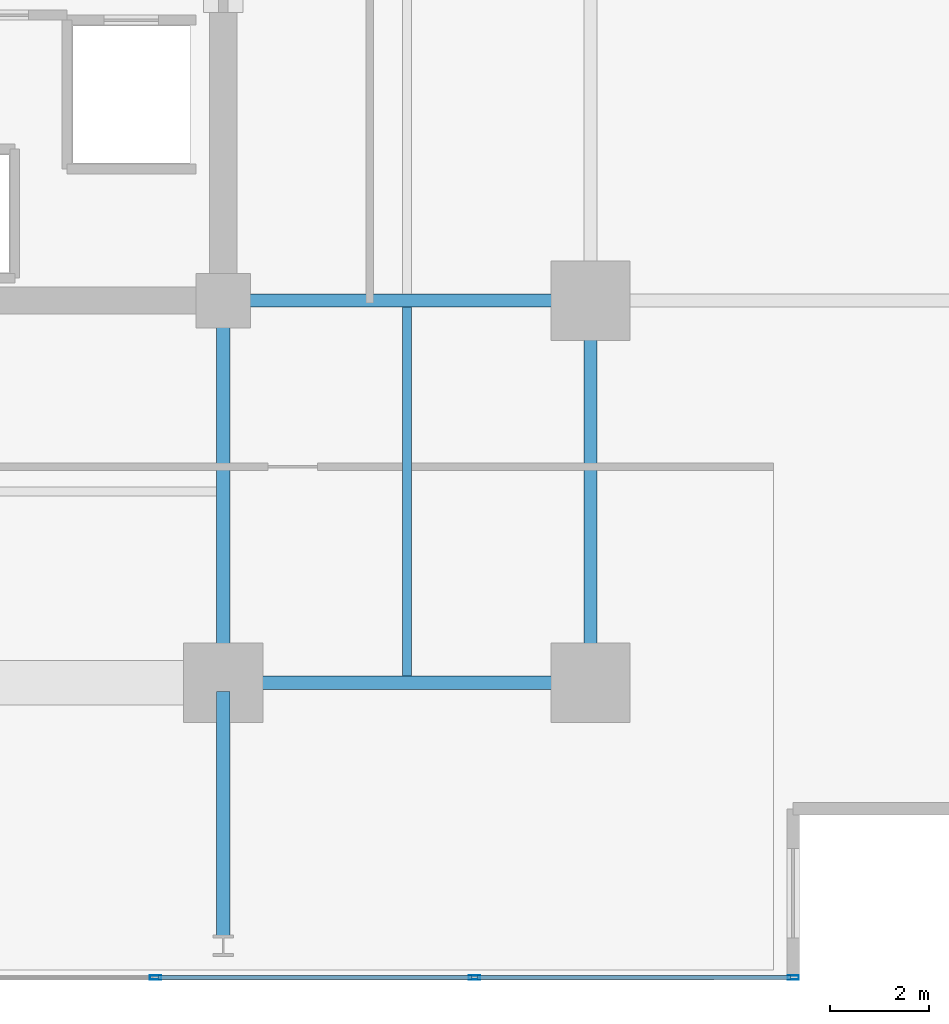
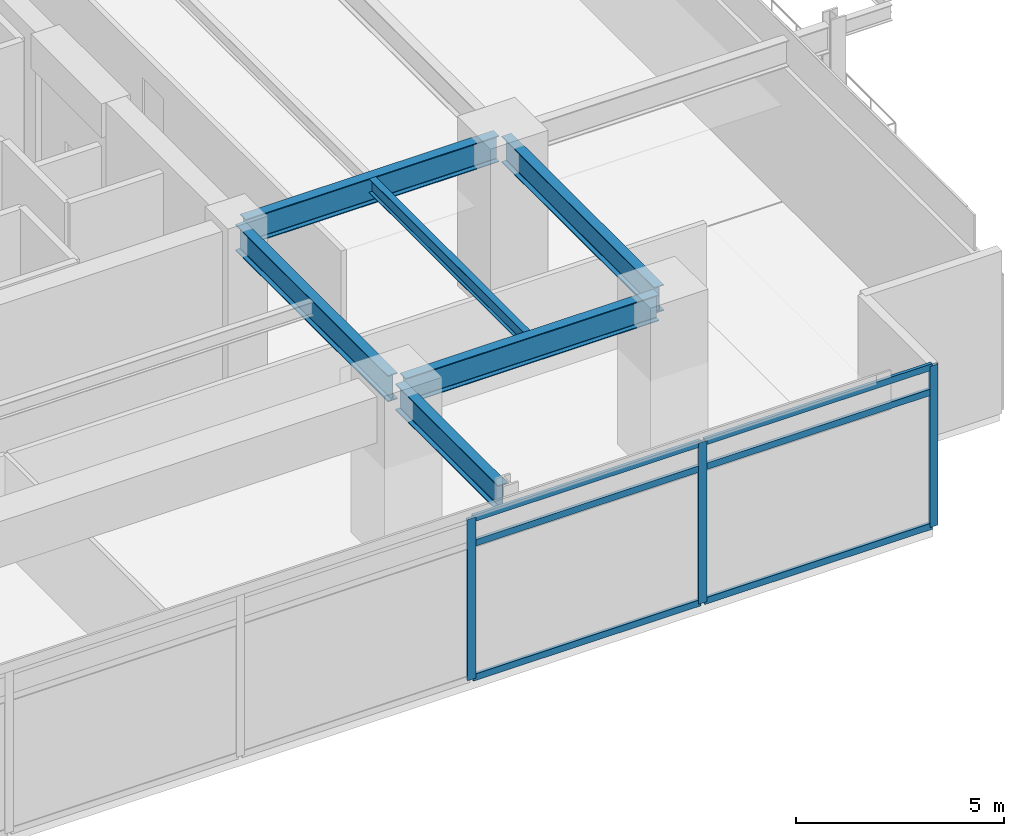
# One storey, part 8 of 20: 9 members, 6 beams, 1 element without a shape of its own.
"""IFC4 building model written with IfcOpenShell, lengths in metres."""

from ifc_helpers import new_model, si_unit, direction, frame, origin, origin_2d, place, context, subcontext, project, spatial, hollow_rectangle, i_section, extrude, material, material_profile, profile_set, type_object, element, aggregate, save


model = new_model("IFC4")

# Units and contexts
model_context = context("Model", 3, precision=1e-05, world=origin(), true_north=direction((0.0, 1.0)))
body_context = subcontext(model_context, "Body", "Model", "MODEL_VIEW")
ifc_project = project(units=[si_unit("LENGTHUNIT", "METRE"), si_unit("AREAUNIT", "SQUARE_METRE"), si_unit("VOLUMEUNIT", "CUBIC_METRE"), si_unit("PLANEANGLEUNIT", "RADIAN"), si_unit("MASSUNIT", "GRAM", prefix="KILO")], contexts=[model_context])

# Site, building, storey
site_placement = place(None, origin())
site = spatial("IfcSite", under=ifc_project, at=site_placement, CompositionType="ELEMENT")
building_placement = place(site_placement, origin())
building = spatial("IfcBuilding", under=site, at=building_placement, Name="Kovane Verandah Tower", CompositionType="ELEMENT")
storey_placement = place(building_placement, frame((0.0, 0.0, 123.39990234375)))
storey = spatial("IfcBuildingStorey", under=building, at=storey_placement, Name="L28", CompositionType="ELEMENT", Elevation=123.39990234375)

# Beams
ifc_material_1 = material(Name="Steel S355", Category="steel")
ifc_material_profile_1 = material_profile(ifc_material_1, i_section(OverallWidth=0.26806640625, OverallDepth=0.769775390625, WebThickness=0.015625, FlangeThickness=0.025390625, FilletRadius=0.0166015625, at=origin_2d()), Name="UB762x267x197")
ifc_profile_set_1 = profile_set([ifc_material_profile_1], Name="Steel S355")
beam_type_1 = type_object("IfcBeamType", Name="BM-UB762x197", PredefinedType="BEAM", material=ifc_profile_set_1)
beam_1_placement = place(storey_placement, frame((51.179931640625, 10.800048828125, 4.39013671875), z_axis=(1.0, 0.0, 0.0), x_axis=(0.0, 1.0, 0.0)))
element("IfcBeam", 1, at=beam_1_placement, inside=storey, type_object=beam_type_1, Name="L28 Primary Tower Girder G-RS3", PredefinedType="BEAM", context=body_context, shape_type="SweptSolid", body=[
    extrude(i_section(OverallWidth=0.26806640625, OverallDepth=0.769775390625, WebThickness=0.015625, FlangeThickness=0.025390625, FilletRadius=0.0166015625, at=origin_2d()), origin(), (0.0, 0.0, 1.0), 7.0400390625),
])
beam_2_placement = place(storey_placement, frame((58.39990234375, 10.97998046875, 4.39013671875), z_axis=(0.0, 1.0, 0.0), x_axis=(-1.0, 0.0, 0.0)))
element("IfcBeam", 2, at=beam_2_placement, inside=storey, type_object=beam_type_1, Name="L28 Primary Tower Girder G-RE1", PredefinedType="BEAM", context=body_context, shape_type="SweptSolid", body=[
    extrude(i_section(OverallWidth=0.26806640625, OverallDepth=0.769775390625, WebThickness=0.015625, FlangeThickness=0.025390625, FilletRadius=0.0166015625, at=origin_2d()), origin(), (0.0, 0.0, 1.0), 7.340087890625),
])
beam_3_placement = place(storey_placement, frame((51.179931640625, 18.5, 4.39013671875), z_axis=(1.0, 0.0, 0.0), x_axis=(0.0, 1.0, 0.0)))
element("IfcBeam", 3, at=beam_3_placement, inside=storey, type_object=beam_type_1, Name="L28 Primary Tower Girder G-E1", PredefinedType="BEAM", context=body_context, shape_type="SweptSolid", body=[
    extrude(i_section(OverallWidth=0.26806640625, OverallDepth=0.769775390625, WebThickness=0.015625, FlangeThickness=0.025390625, FilletRadius=0.0166015625, at=origin_2d()), origin(), (0.0, 0.0, 1.0), 7.0400390625),
])
beam_4_placement = place(storey_placement, frame((51.0, 18.320068359375, 4.39013671875), z_axis=(0.0, -1.0, 0.0), x_axis=(1.0, 0.0, 0.0)))
element("IfcBeam", 4, at=beam_4_placement, inside=storey, type_object=beam_type_1, Name="L28 Primary Tower Girder G-S2", PredefinedType="BEAM", context=body_context, shape_type="SweptSolid", body=[
    extrude(i_section(OverallWidth=0.26806640625, OverallDepth=0.769775390625, WebThickness=0.015625, FlangeThickness=0.025390625, FilletRadius=0.0166015625, at=origin_2d()), origin(), (0.0, 0.0, 1.0), 7.340087890625),
])
beam_5_placement = place(storey_placement, frame((51.0, 10.6201171875, 4.375244140625), z_axis=(0.0, -1.0, 0.0), x_axis=(1.0, 0.0, 0.0)))
element("IfcBeam", 5, at=beam_5_placement, inside=storey, type_object=beam_type_1, Name="L28 Primary Tower Girder G-VS2", PredefinedType="BEAM", context=body_context, shape_type="SweptSolid", body=[
    extrude(i_section(OverallWidth=0.26806640625, OverallDepth=0.769775390625, WebThickness=0.015625, FlangeThickness=0.025390625, FilletRadius=0.0166015625, at=origin_2d()), origin(), (0.0, 0.0, 1.0), 4.940185546875),
])

# Curtain wall, members
ifc_material_2 = material(Name="Champagne Anodised Aluminium Frame with Low-E Clear Laminated Glass", Category="aluminium")
curtain_wall_type = type_object("IfcCurtainWallType", Name="CW-SYS-03-MID", PredefinedType="NOTDEFINED", material=ifc_material_2)
curtain_wall_placement = place(storey_placement, origin())
curtain_wall = element("IfcCurtainWall", 6, at=curtain_wall_placement, inside=storey, type_object=curtain_wall_type, Name="L28 S Unitised Curtain Wall", PredefinedType="NOTDEFINED")
ifc_material_3 = material(Name="Champagne Anodised Aluminium 6063-T6", Category="aluminium")
ifc_material_profile_2 = material_profile(ifc_material_3, hollow_rectangle(XDim=0.0849609375, YDim=0.22998046875, WallThickness=0.00390625, at=origin_2d()), Name="AL85x230x4")
ifc_profile_set_2 = profile_set([ifc_material_profile_2], Name="Champagne Anodised Aluminium 6063-T6")
member_type_1 = type_object("IfcMemberType", Name="CW-MUL-85x230", PredefinedType="MULLION", material=ifc_profile_set_2)
member_1_placement = place(storey_placement, frame((49.63623046875, 4.86083984375, 0.02001953125), z_axis=(0.0, 0.0, 1.0), x_axis=(0.0, -1.0, 0.0)))
member_1 = element("IfcMember", 7, at=member_1_placement, type_object=member_type_1, Name="L28 S Unitised Curtain Wall Mullion 6", PredefinedType="MULLION", context=body_context, shape_type="SweptSolid", body=[
    extrude(hollow_rectangle(XDim=0.0849609375, YDim=0.22998046875, WallThickness=0.00390625, at=origin_2d()), origin(), (0.0, 0.0, 1.0), 4.735107421875),
])
member_2_placement = place(storey_placement, frame((56.060302734375, 4.86083984375, 0.02001953125), z_axis=(0.0, 0.0, 1.0), x_axis=(0.0, -1.0, 0.0)))
member_2 = element("IfcMember", 8, at=member_2_placement, type_object=member_type_1, Name="L28 S Unitised Curtain Wall Mullion 7", PredefinedType="MULLION", context=body_context, shape_type="SweptSolid", body=[
    extrude(hollow_rectangle(XDim=0.0849609375, YDim=0.22998046875, WallThickness=0.00390625, at=origin_2d()), origin(), (0.0, 0.0, 1.0), 4.735107421875),
])
member_3_placement = place(storey_placement, frame((62.484619140625, 4.86083984375, 0.02001953125), z_axis=(0.0, 0.0, 1.0), x_axis=(0.0, -1.0, 0.0)))
member_3 = element("IfcMember", 9, at=member_3_placement, type_object=member_type_1, Name="L28 S Unitised Curtain Wall Mullion 8", PredefinedType="MULLION", context=body_context, shape_type="SweptSolid", body=[
    extrude(hollow_rectangle(XDim=0.0849609375, YDim=0.22998046875, WallThickness=0.00390625, at=origin_2d()), origin(), (0.0, 0.0, 1.0), 4.735107421875),
])
ifc_material_profile_3 = material_profile(ifc_material_3, hollow_rectangle(XDim=0.0849609375, YDim=0.18994140625, WallThickness=0.00390625, at=origin_2d()), Name="AL85x190x4")
ifc_profile_set_3 = profile_set([ifc_material_profile_3], Name="Champagne Anodised Aluminium 6063-T6")
member_type_2 = type_object("IfcMemberType", Name="CW-TRN-85x190", PredefinedType="USERDEFINED", material=ifc_profile_set_3)
member_4_placement = place(storey_placement, frame((49.686279296875, 4.86083984375, 0.050048828125), z_axis=(1.0, 0.0, 0.0), x_axis=(0.0, 1.0, 0.0)))
member_4 = element("IfcMember", 10, at=member_4_placement, type_object=member_type_2, Name="L28 S Unitised Curtain Wall Transom TB Bay 6", ObjectType="TRANSOM", PredefinedType="USERDEFINED", context=body_context, shape_type="SweptSolid", body=[
    extrude(hollow_rectangle(XDim=0.0849609375, YDim=0.18994140625, WallThickness=0.00390625, at=origin_2d()), origin(), (0.0, 0.0, 1.0), 6.32421875),
])
member_5_placement = place(storey_placement, frame((49.686279296875, 4.86083984375, 3.9951171875), z_axis=(1.0, 0.0, 0.0), x_axis=(0.0, 1.0, 0.0)))
member_5 = element("IfcMember", 11, at=member_5_placement, type_object=member_type_2, Name="L28 S Unitised Curtain Wall Transom TM Bay 6", ObjectType="TRANSOM", PredefinedType="USERDEFINED", context=body_context, shape_type="SweptSolid", body=[
    extrude(hollow_rectangle(XDim=0.0849609375, YDim=0.18994140625, WallThickness=0.00390625, at=origin_2d()), origin(), (0.0, 0.0, 1.0), 6.32421875),
])
member_6_placement = place(storey_placement, frame((49.686279296875, 4.86083984375, 4.72509765625), z_axis=(1.0, 0.0, 0.0), x_axis=(0.0, 1.0, 0.0)))
member_6 = element("IfcMember", 12, at=member_6_placement, type_object=member_type_2, Name="L28 S Unitised Curtain Wall Transom TT Bay 6", ObjectType="TRANSOM", PredefinedType="USERDEFINED", context=body_context, shape_type="SweptSolid", body=[
    extrude(hollow_rectangle(XDim=0.0849609375, YDim=0.18994140625, WallThickness=0.00390625, at=origin_2d()), origin(), (0.0, 0.0, 1.0), 6.32421875),
])
member_7_placement = place(storey_placement, frame((56.1103515625, 4.86083984375, 0.050048828125), z_axis=(1.0, 0.0, 0.0), x_axis=(0.0, 1.0, 0.0)))
member_7 = element("IfcMember", 13, at=member_7_placement, type_object=member_type_2, Name="L28 S Unitised Curtain Wall Transom TB Bay 7", ObjectType="TRANSOM", PredefinedType="USERDEFINED", context=body_context, shape_type="SweptSolid", body=[
    extrude(hollow_rectangle(XDim=0.0849609375, YDim=0.18994140625, WallThickness=0.00390625, at=origin_2d()), origin(), (0.0, 0.0, 1.0), 6.32421875),
])
member_8_placement = place(storey_placement, frame((56.1103515625, 4.86083984375, 3.9951171875), z_axis=(1.0, 0.0, 0.0), x_axis=(0.0, 1.0, 0.0)))
member_8 = element("IfcMember", 14, at=member_8_placement, type_object=member_type_2, Name="L28 S Unitised Curtain Wall Transom TM Bay 7", ObjectType="TRANSOM", PredefinedType="USERDEFINED", context=body_context, shape_type="SweptSolid", body=[
    extrude(hollow_rectangle(XDim=0.0849609375, YDim=0.18994140625, WallThickness=0.00390625, at=origin_2d()), origin(), (0.0, 0.0, 1.0), 6.32421875),
])
member_9_placement = place(storey_placement, frame((56.1103515625, 4.86083984375, 4.72509765625), z_axis=(1.0, 0.0, 0.0), x_axis=(0.0, 1.0, 0.0)))
member_9 = element("IfcMember", 15, at=member_9_placement, type_object=member_type_2, Name="L28 S Unitised Curtain Wall Transom TT Bay 7", ObjectType="TRANSOM", PredefinedType="USERDEFINED", context=body_context, shape_type="SweptSolid", body=[
    extrude(hollow_rectangle(XDim=0.0849609375, YDim=0.18994140625, WallThickness=0.00390625, at=origin_2d()), origin(), (0.0, 0.0, 1.0), 6.32421875),
])
aggregate(curtain_wall, [member_1, member_2, member_3, member_4, member_5, member_6, member_7, member_8, member_9])

# Beam
ifc_material_profile_4 = material_profile(ifc_material_1, i_section(OverallWidth=0.179443359375, OverallDepth=0.412841796875, WebThickness=0.009521484375, FlangeThickness=0.01611328125, FilletRadius=0.01025390625, at=origin_2d()), Name="UB406x178x74")
ifc_profile_set_4 = profile_set([ifc_material_profile_4], Name="Steel S355")
beam_type_2 = type_object("IfcBeamType", Name="JST-UB406x74", PredefinedType="JOIST", material=ifc_profile_set_4)
beam_6_placement = place(storey_placement, frame((54.699951171875, 10.931884765625, 4.568603515625), z_axis=(0.0, 1.0, 0.0), x_axis=(-1.0, 0.0, 0.0)))
element("IfcBeam", 16, at=beam_6_placement, inside=storey, type_object=beam_type_2, Name="L28 Secondary Composite Joist J-SE1", PredefinedType="JOIST", context=body_context, shape_type="SweptSolid", body=[
    extrude(i_section(OverallWidth=0.179443359375, OverallDepth=0.412841796875, WebThickness=0.009521484375, FlangeThickness=0.01611328125, FilletRadius=0.01025390625, at=origin_2d()), origin(), (0.0, 0.0, 1.0), 7.43603515625),
])

save(model, "model.ifc")
